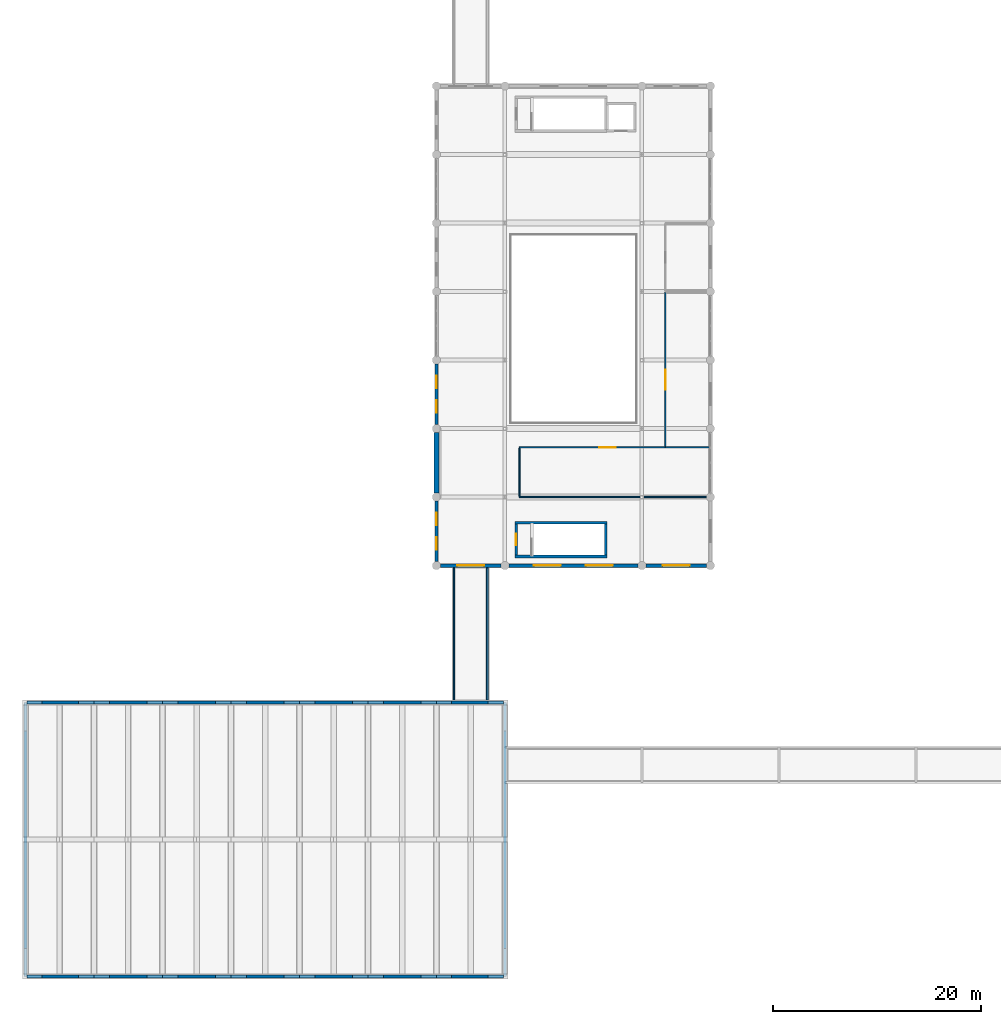
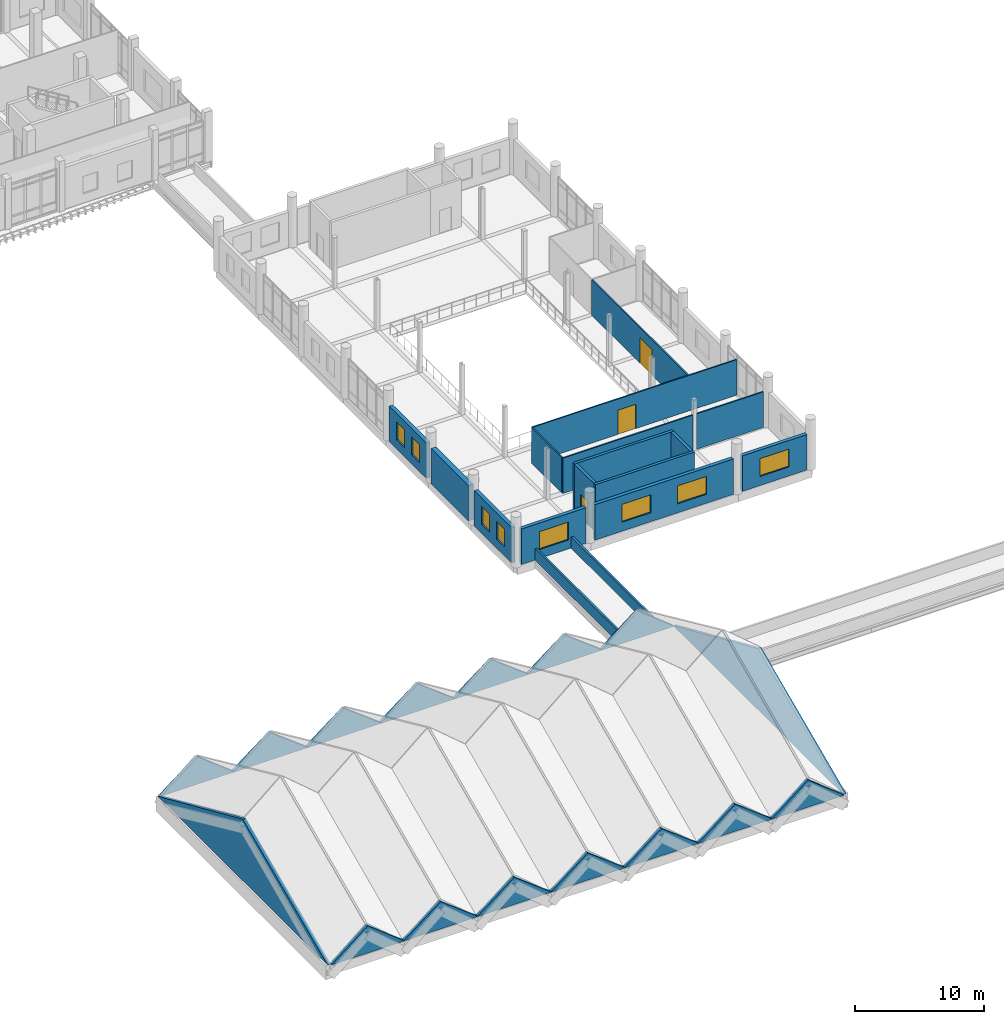
# One storey, part 47 of 76: 33 walls, 8 windows, 3 doors, 11 openings.
"""IFC4 building model written with IfcOpenShell, lengths in metres."""

from ifc_helpers import new_model, si_unit, direction, frame, frame_2d, origin, place, context, subcontext, project, spatial, polyline, rectangle, outline, extrude, material, layer, layer_set, type_object, element, fill, save


model = new_model("IFC4")

# Units and contexts
model_context = context("Model", 3, precision=1e-05, world=origin(), true_north=direction((0.0, 1.0)))
body_context = subcontext(model_context, "Body", "Model", "MODEL_VIEW")
ifc_project = project(units=[si_unit("LENGTHUNIT", "METRE"), si_unit("AREAUNIT", "SQUARE_METRE"), si_unit("VOLUMEUNIT", "CUBIC_METRE"), si_unit("PLANEANGLEUNIT", "RADIAN"), si_unit("MASSUNIT", "GRAM", prefix="KILO")], contexts=[model_context])

# Site, building, storey
site_placement = place(None, origin())
site = spatial("IfcSite", under=ifc_project, at=site_placement, CompositionType="ELEMENT")
building_placement = place(site_placement, origin())
building = spatial("IfcBuilding", under=site, at=building_placement, Name="Dornvale Research Institute", CompositionType="ELEMENT")
storey_placement = place(building_placement, frame((0.0, 0.0, 15.0)))
storey = spatial("IfcBuildingStorey", under=building, at=storey_placement, Name="L03", CompositionType="ELEMENT", Elevation=15.0)

# Walls
ifc_material_1 = material(Name="Concrete f'c 40 MPa (C32/40)", Category="concrete")
ifc_layer_1 = layer(ifc_material_1, 0.179931640625)
ifc_layer_set_1 = layer_set([ifc_layer_1], Name="Concrete f'c 40 MPa (C32/40)")
wall_type_1 = type_object("IfcWallType", Name="Parapet_Terrace_180", PredefinedType="PARAPET", material=ifc_layer_set_1)
for number, where, z_axis, x_axis, name in (
    (1, (41.2900390625, 26.6201171875, 0.0), (0.0, 0.0, 1.0), (0.0, 1.0, 0.0), "L03 BRROOF-BR-2 parapet W"),
    (2, (44.510009765625, 26.6201171875, 0.0), (0.0, 0.0, 1.0), (0.0, 1.0, 0.0), "L03 BRROOF-BR-2 parapet E"),
):
    element("IfcWall", number, at=place(storey_placement, frame(where, z_axis=z_axis, x_axis=x_axis)), inside=storey, type_object=wall_type_1, Name=name, PredefinedType="PARAPET", context=body_context, shape_type="SweptSolid", body=[
        extrude(rectangle(XDim=12.759765625, YDim=0.179931640625, at=frame_2d((6.3798828125, 0.0))), origin(), (0.0, 0.0, 1.0), 1.1201171875),
    ])
ifc_material_2 = material(Name="Acoustic Insulated Double-Stud Laboratory Partition")
ifc_layer_2 = layer(ifc_material_2, 0.1201171875)
ifc_layer_set_2 = layer_set([ifc_layer_2], Name="Acoustic Insulated Double-Stud Laboratory Partition")
wall_type_2 = type_object("IfcWallType", Name="Partition_Dry_120", PredefinedType="PARTITIONING", material=ifc_layer_set_2)
wall_1_placement = place(storey_placement, frame((47.60009765625, 46.199951171875, 0.0), z_axis=(0.0, 0.0, 1.0), x_axis=(1.0, 0.0, 0.0)))
element("IfcWall", 3, at=wall_1_placement, inside=storey, type_object=wall_type_2, Name="L03 V2 interior partition #392", PredefinedType="PARTITIONING", context=body_context, shape_type="SweptSolid", body=[
    extrude(rectangle(XDim=11.62744140625, YDim=0.1201171875, at=frame_2d((5.813720703125, 0.0))), origin(), (0.0, 0.0, 1.0), 3.360107421875),
])
wall_2_placement = place(storey_placement, frame((59.572509765625, 46.199951171875, 0.0), z_axis=(0.0, 0.0, 1.0), x_axis=(1.0, 0.0, 0.0)))
element("IfcWall", 4, at=wall_2_placement, inside=storey, type_object=wall_type_2, Name="L03 V2 interior partition #393", PredefinedType="PARTITIONING", context=body_context, shape_type="SweptSolid", body=[
    extrude(rectangle(XDim=6.007568359375, YDim=0.1201171875, at=frame_2d((3.00390625, 0.0))), origin(), (0.0, 0.0, 1.0), 3.360107421875),
])

# Wall, opening, door
wall_3_placement = place(storey_placement, frame((47.60009765625, 51.0, 0.0), z_axis=(0.0, 0.0, 1.0), x_axis=(1.0, 0.0, 0.0)))
wall_3 = element("IfcWall", 5, at=wall_3_placement, inside=storey, type_object=wall_type_2, Name="L03 V2 interior partition #394", PredefinedType="PARTITIONING", context=body_context, shape_type="SweptSolid", body=[
    extrude(rectangle(XDim=18.35986328125, YDim=0.1201171875, at=frame_2d((9.179931640625, 0.0))), origin(), (0.0, 0.0, 1.0), 3.360107421875),
])
opening_1_placement = place(wall_3_placement, frame((7.7099609375, 0.0, 0.0)))
opening_1 = element("IfcOpeningElement", 6, at=opening_1_placement, cuts=wall_3, Name="Opening ID-18", PredefinedType="OPENING", context=body_context, shape_type="SweptSolid", body=[
    extrude(rectangle(XDim=1.580078125, YDim=2.300048828125, at=frame_2d((0.7900390625, 1.14990234375))), frame((0.0, 0.074951171875, 0.0), z_axis=(0.0, -1.0, 0.0), x_axis=(1.0, 0.0, 0.0)), (0.0, 0.0, 1.0), 0.150146484375),
])
ifc_material_3 = material(Name="Phenolic-Faced Solid-Core Laboratory Door Assembly")
door_type_1 = type_object("IfcDoorType", Name="Door_Collab_1580x2300", OperationType="SINGLE_SWING_LEFT", PredefinedType="DOOR", material=ifc_material_3)
door_1_placement = place(opening_1_placement, origin())
door_1 = element("IfcDoor", 7, at=door_1_placement, inside=storey, type_object=door_type_1, Name="L03 Interdisciplinary Collaboratory L03-South door #158", OperationType="SINGLE_SWING_LEFT", OverallHeight=2.300048828125, OverallWidth=1.580078125, PredefinedType="DOOR", context=body_context, shape_type="SweptSolid", body=[
    extrude(rectangle(XDim=1.580078125, YDim=2.300048828125, at=frame_2d((0.7900390625, 1.14990234375))), frame((0.0, 0.02490234375, 0.0), z_axis=(0.0, -1.0, 0.0), x_axis=(1.0, 0.0, 0.0)), (0.0, 0.0, 1.0), 0.050048828125),
])
fill(opening_1, door_1)

# Wall
wall_4_placement = place(storey_placement, frame((47.60009765625, 46.27490234375, 0.0), z_axis=(0.0, 0.0, 1.0), x_axis=(0.0, 1.0, 0.0)))
element("IfcWall", 8, at=wall_4_placement, inside=storey, type_object=wall_type_2, Name="L03 V2 interior partition #395", PredefinedType="PARTITIONING", context=body_context, shape_type="SweptSolid", body=[
    extrude(rectangle(XDim=4.650146484375, YDim=0.1201171875, at=frame_2d((2.3251953125, 0.0))), origin(), (0.0, 0.0, 1.0), 3.360107421875),
])

# Wall, opening, door
wall_5_placement = place(storey_placement, frame((61.64990234375, 51.074951171875, 0.0), z_axis=(0.0, 0.0, 1.0), x_axis=(0.0, 1.0, 0.0)))
wall_5 = element("IfcWall", 9, at=wall_5_placement, inside=storey, type_object=wall_type_2, Name="L03 V2 interior partition #397", PredefinedType="PARTITIONING", context=body_context, shape_type="SweptSolid", body=[
    extrude(rectangle(XDim=14.85009765625, YDim=0.1201171875, at=frame_2d((7.425048828125, 0.0))), origin(), (0.0, 0.0, 1.0), 3.360107421875),
])
opening_2_placement = place(wall_5_placement, frame((5.465087890625, 0.0, 0.0)))
opening_2 = element("IfcOpeningElement", 10, at=opening_2_placement, cuts=wall_5, Name="Opening ID-16", PredefinedType="OPENING", context=body_context, shape_type="SweptSolid", body=[
    extrude(rectangle(XDim=1.919921875, YDim=2.39990234375, at=frame_2d((0.9599609375, 1.199951171875))), frame((0.0, 0.074951171875, 0.0), z_axis=(0.0, -1.0, 0.0), x_axis=(1.0, 0.0, 0.0)), (0.0, 0.0, 1.0), 0.150146484375),
])
ifc_material_4 = material(Name="Phenolic-Faced Solid-Core Laboratory Door Assembly")
door_type_2 = type_object("IfcDoorType", Name="Door_Gallery_1920x2400", OperationType="SINGLE_SWING_LEFT", PredefinedType="DOOR", material=ifc_material_4)
door_2_placement = place(opening_2_placement, origin())
door_2 = element("IfcDoor", 11, at=door_2_placement, inside=storey, type_object=door_type_2, Name="L03 Natural Collections Exhibition Gallery L03 door #159", OperationType="DOUBLE_DOOR_SINGLE_SWING", OverallHeight=2.39990234375, OverallWidth=1.919921875, PredefinedType="DOOR", context=body_context, shape_type="SweptSolid", body=[
    extrude(rectangle(XDim=1.919921875, YDim=2.39990234375, at=frame_2d((0.9599609375, 1.199951171875))), frame((0.0, 0.02490234375, 0.0), z_axis=(0.0, -1.0, 0.0), x_axis=(1.0, 0.0, 0.0)), (0.0, 0.0, 1.0), 0.050048828125),
])
fill(opening_2, door_2)

# Walls
ifc_material_5 = material(Name="Concrete f'c 45 MPa (C35/45)", Category="concrete")
ifc_layer_3 = layer(ifc_material_5, 0.25)
ifc_layer_set_3 = layer_set([ifc_layer_3], Name="Concrete f'c 45 MPa (C35/45)")
wall_type_3 = type_object("IfcWallType", Name="ShearWall_Core_250", PredefinedType="SHEAR", material=ifc_layer_set_3)
for number, where, z_axis, x_axis, name in (
    (12, (47.14990234375, 40.47509765625, 0.0), (0.0, 0.0, 1.0), (1.0, 0.0, 0.0), "L03 ST-7 shaft shear wall south"),
    (13, (47.14990234375, 43.72509765625, 0.0), (0.0, 0.0, 1.0), (1.0, 0.0, 0.0), "L03 ST-7 shaft shear wall north"),
):
    element("IfcWall", number, at=place(storey_placement, frame(where, z_axis=z_axis, x_axis=x_axis)), inside=storey, type_object=wall_type_3, Name=name, PredefinedType="SHEAR", context=body_context, shape_type="SweptSolid", body=[
        extrude(rectangle(XDim=8.900146484375, YDim=0.25, at=frame_2d((4.4501953125, 0.0))), origin(), (0.0, 0.0, 1.0), 4.5),
    ])

# Wall, opening, door
wall_6_placement = place(storey_placement, frame((47.27490234375, 40.60009765625, 0.0), z_axis=(0.0, 0.0, 1.0), x_axis=(0.0, 1.0, 0.0)))
wall_6 = element("IfcWall", 14, at=wall_6_placement, inside=storey, type_object=wall_type_3, Name="L03 ST-7 shaft shear wall west", PredefinedType="SHEAR", context=body_context, shape_type="SweptSolid", body=[
    extrude(rectangle(XDim=3.0, YDim=0.25, at=frame_2d((1.5, 0.0))), origin(), (0.0, 0.0, 1.0), 4.5),
])
opening_3_placement = place(wall_6_placement, frame((0.93994140625, 0.0, 0.0)))
opening_3 = element("IfcOpeningElement", 15, at=opening_3_placement, cuts=wall_6, Name="Opening SD-01", PredefinedType="OPENING", context=body_context, shape_type="SweptSolid", body=[
    extrude(rectangle(XDim=1.1201171875, YDim=2.199951171875, at=frame_2d((0.56005859375, 1.10009765625))), frame((0.0, 0.139892578125, 0.0), z_axis=(0.0, -1.0, 0.0), x_axis=(1.0, 0.0, 0.0)), (0.0, 0.0, 1.0), 0.280029296875),
])
ifc_material_6 = material(Name="Insulated Fire-Rated Hollow Metal Door Assembly")
door_type_3 = type_object("IfcDoorType", Name="Door_Stair_1120x2200", OperationType="SINGLE_SWING_LEFT", PredefinedType="DOOR", material=ifc_material_6)
door_3_placement = place(opening_3_placement, origin())
door_3 = element("IfcDoor", 16, at=door_3_placement, inside=storey, type_object=door_type_3, Name="L03 ST-7 exit stair door #54", OperationType="SINGLE_SWING_LEFT", OverallHeight=2.199951171875, OverallWidth=1.1201171875, PredefinedType="DOOR", context=body_context, shape_type="SweptSolid", body=[
    extrude(rectangle(XDim=1.1201171875, YDim=2.199951171875, at=frame_2d((0.56005859375, 1.10009765625))), frame((0.0, 0.02490234375, 0.0), z_axis=(0.0, -1.0, 0.0), x_axis=(1.0, 0.0, 0.0)), (0.0, 0.0, 1.0), 0.050048828125),
])
fill(opening_3, door_3)

# Walls
wall_7_placement = place(storey_placement, frame((55.925048828125, 40.60009765625, 0.0), z_axis=(0.0, 0.0, 1.0), x_axis=(0.0, 1.0, 0.0)))
element("IfcWall", 17, at=wall_7_placement, inside=storey, type_object=wall_type_3, Name="L03 ST-7 shaft shear wall east", PredefinedType="SHEAR", context=body_context, shape_type="SweptSolid", body=[
    extrude(rectangle(XDim=3.0, YDim=0.25, at=frame_2d((1.5, 0.0))), origin(), (0.0, 0.0, 1.0), 4.5),
])
ifc_material_7 = material(Name="Precast Concrete f'c 40 MPa (C32/40) and Glazed Terracotta Backup Wall", Category="masonry")
ifc_layer_4 = layer(ifc_material_7, 0.449951171875)
ifc_layer_set_4 = layer_set([ifc_layer_4], Name="Precast Concrete f'c 40 MPa (C32/40) and Glazed Terracotta Backup Wall")
wall_type_4 = type_object("IfcWallType", Name="SolidWall_ShearBraceBay_450", PredefinedType="SOLIDWALL", material=ifc_layer_set_4)
wall_8_placement = place(storey_placement, frame((39.60009765625, 46.594970703125, 0.0), z_axis=(0.0, 0.0, 1.0), x_axis=(0.0, 1.0, 0.0)))
element("IfcWall", 18, at=wall_8_placement, inside=storey, type_object=wall_type_4, Name="L03 V2 west exterior wall #96", PredefinedType="SOLIDWALL", context=body_context, shape_type="SweptSolid", body=[
    extrude(rectangle(XDim=5.81005859375, YDim=0.449951171875, at=frame_2d((2.905029296875, 0.0))), origin(), (0.0, 0.0, 1.0), 3.360107421875),
])
ifc_material_8 = material(Name="Precast Concrete f'c 40 MPa (C32/40) and Glazed Terracotta Backup Wall", Category="masonry")
ifc_layer_5 = layer(ifc_material_8, 0.280029296875)
ifc_layer_set_5 = layer_set([ifc_layer_5], Name="Precast Concrete f'c 40 MPa (C32/40) and Glazed Terracotta Backup Wall")
wall_type_5 = type_object("IfcWallType", Name="SolidWall_TerracottaBackup_280", PredefinedType="SOLIDWALL", material=ifc_layer_set_5)
for number, where, z_axis, x_axis, name in (
    (19, (0.0, 0.0, 0.0), (0.0, 0.0, 1.0), (0.0, 1.0, 0.0), "V1 Lecture Theatre west valley gable tympanum wall"),
    (20, (46.199951171875, 26.39990234375, 0.0), (0.0, 0.0, 1.0), (0.0, -1.0, 0.0), "V1 Lecture Theatre east valley gable tympanum wall"),
):
    element("IfcWall", number, at=place(storey_placement, frame(where, z_axis=z_axis, x_axis=x_axis)), inside=storey, type_object=wall_type_5, Name=name, PredefinedType="SOLIDWALL", context=body_context, shape_type="SweptSolid", body=[
        extrude(outline(polyline([(0.0, 0.0), (26.39990234375, 0.0), (26.39990234375, 0.0), (13.199951171875, 5.820068359375), (0.0, 0.0), (0.0, 0.0)])), frame((0.0, 0.14013671875, 0.0), z_axis=(0.0, -1.0, 0.0), x_axis=(1.0, 0.0, 0.0)), (0.0, 0.0, 1.0), 0.280029296875),
    ])
for number, where, z_axis, x_axis, name in (
    (21, (6.60009765625, 0.0, 0.0), (0.0, 0.0, 1.0), (-1.0, 0.0, 0.0), "V1 south accordion pleat gable wall #1"),
    (22, (0.139892578125, 26.39990234375, 0.0), (0.0, 0.0, 1.0), (1.0, 0.0, 0.0), "V1 north accordion pleat gable wall #1"),
):
    element("IfcWall", number, at=place(storey_placement, frame(where, z_axis=z_axis, x_axis=x_axis)), inside=storey, type_object=wall_type_5, Name=name, PredefinedType="SOLIDWALL", context=body_context, shape_type="SweptSolid", body=[
        extrude(outline(polyline([(0.0, 0.0), (6.460205078125, 0.0), (6.4599609375, 0.050048828125), (3.22998046875, 2.580078125), (0.0, 0.050048828125), (0.0, 0.0)])), frame((0.0, 0.14013671875, 0.0), z_axis=(0.0, -1.0, 0.0), x_axis=(1.0, 0.0, 0.0)), (0.0, 0.0, 1.0), 0.280029296875),
    ])
for number, where, z_axis, x_axis, name in (
    (23, (13.199951171875, 0.0, 0.0), (0.0, 0.0, 1.0), (-1.0, 0.0, 0.0), "V1 south accordion pleat gable wall #2"),
    (24, (6.60009765625, 26.39990234375, 0.0), (0.0, 0.0, 1.0), (1.0, 0.0, 0.0), "V1 north accordion pleat gable wall #2"),
):
    element("IfcWall", number, at=place(storey_placement, frame(where, z_axis=z_axis, x_axis=x_axis)), inside=storey, type_object=wall_type_5, Name=name, PredefinedType="SOLIDWALL", context=body_context, shape_type="SweptSolid", body=[
        extrude(outline(polyline([(0.0, 0.0), (6.599853515625, 0.0), (6.60009765625, 0.050048828125), (3.300048828125, 2.580078125), (0.0, 0.050048828125), (0.0, 0.0)])), frame((0.0, 0.14013671875, 0.0), z_axis=(0.0, -1.0, 0.0), x_axis=(1.0, 0.0, 0.0)), (0.0, 0.0, 1.0), 0.280029296875),
    ])
for number, where, z_axis, x_axis, name in (
    (25, (19.800048828125, 0.0, 0.0), (0.0, 0.0, 1.0), (-1.0, 0.0, 0.0), "V1 south accordion pleat gable wall #3"),
    (26, (13.199951171875, 26.39990234375, 0.0), (0.0, 0.0, 1.0), (1.0, 0.0, 0.0), "V1 north accordion pleat gable wall #3"),
):
    element("IfcWall", number, at=place(storey_placement, frame(where, z_axis=z_axis, x_axis=x_axis)), inside=storey, type_object=wall_type_5, Name=name, PredefinedType="SOLIDWALL", context=body_context, shape_type="SweptSolid", body=[
        extrude(outline(polyline([(0.0, 0.0), (6.60009765625, 0.0), (6.60009765625, 0.050048828125), (3.300048828125, 2.580078125), (0.0, 0.050048828125), (0.0, 0.0)])), frame((0.0, 0.14013671875, 0.0), z_axis=(0.0, -1.0, 0.0), x_axis=(1.0, 0.0, 0.0)), (0.0, 0.0, 1.0), 0.280029296875),
    ])
for number, where, z_axis, x_axis, name in (
    (27, (26.39990234375, 0.0, 0.0), (0.0, 0.0, 1.0), (-1.0, 0.0, 0.0), "V1 south accordion pleat gable wall #4"),
    (28, (19.800048828125, 26.39990234375, 0.0), (0.0, 0.0, 1.0), (1.0, 0.0, 0.0), "V1 north accordion pleat gable wall #4"),
):
    element("IfcWall", number, at=place(storey_placement, frame(where, z_axis=z_axis, x_axis=x_axis)), inside=storey, type_object=wall_type_5, Name=name, PredefinedType="SOLIDWALL", context=body_context, shape_type="SweptSolid", body=[
        extrude(outline(polyline([(0.0, 0.0), (6.599853515625, 0.0), (6.60009765625, 0.050048828125), (3.300048828125, 2.580078125), (0.0, 0.050048828125), (0.0, 0.0)])), frame((0.0, 0.14013671875, 0.0), z_axis=(0.0, -1.0, 0.0), x_axis=(1.0, 0.0, 0.0)), (0.0, 0.0, 1.0), 0.280029296875),
    ])
for number, where, z_axis, x_axis, name in (
    (29, (33.0, 0.0, 0.0), (0.0, 0.0, 1.0), (-1.0, 0.0, 0.0), "V1 south accordion pleat gable wall #5"),
    (30, (26.39990234375, 26.39990234375, 0.0), (0.0, 0.0, 1.0), (1.0, 0.0, 0.0), "V1 north accordion pleat gable wall #5"),
    (31, (39.60009765625, 0.0, 0.0), (0.0, 0.0, 1.0), (-1.0, 0.0, 0.0), "V1 south accordion pleat gable wall #6"),
    (32, (33.0, 26.39990234375, 0.0), (0.0, 0.0, 1.0), (1.0, 0.0, 0.0), "V1 north accordion pleat gable wall #6"),
):
    element("IfcWall", number, at=place(storey_placement, frame(where, z_axis=z_axis, x_axis=x_axis)), inside=storey, type_object=wall_type_5, Name=name, PredefinedType="SOLIDWALL", context=body_context, shape_type="SweptSolid", body=[
        extrude(outline(polyline([(0.0, 0.0), (6.60009765625, 0.0), (6.60009765625, 0.050048828125), (3.300048828125, 2.580078125), (0.0, 0.050048828125), (0.0, 0.0)])), frame((0.0, 0.14013671875, 0.0), z_axis=(0.0, -1.0, 0.0), x_axis=(1.0, 0.0, 0.0)), (0.0, 0.0, 1.0), 0.280029296875),
    ])
for number, where, z_axis, x_axis, name in (
    (33, (46.06005859375, 0.0, 0.0), (0.0, 0.0, 1.0), (-1.0, 0.0, 0.0), "V1 south accordion pleat gable wall #7"),
    (34, (39.60009765625, 26.39990234375, 0.0), (0.0, 0.0, 1.0), (1.0, 0.0, 0.0), "V1 north accordion pleat gable wall #7"),
):
    element("IfcWall", number, at=place(storey_placement, frame(where, z_axis=z_axis, x_axis=x_axis)), inside=storey, type_object=wall_type_5, Name=name, PredefinedType="SOLIDWALL", context=body_context, shape_type="SweptSolid", body=[
        extrude(outline(polyline([(0.0, 0.0), (6.4599609375, 0.0), (6.4599609375, 0.050048828125), (3.22998046875, 2.580078125), (0.0, 0.050048828125), (0.0, 0.0)])), frame((0.0, 0.14013671875, 0.0), z_axis=(0.0, -1.0, 0.0), x_axis=(1.0, 0.0, 0.0)), (0.0, 0.0, 1.0), 0.280029296875),
    ])

# Wall, openings, windows
ifc_material_9 = material(Name="Catalan Pressed Brick and Insulated Cavity Assembly", Category="masonry")
ifc_layer_6 = layer(ifc_material_9, 0.320068359375)
ifc_layer_set_6 = layer_set([ifc_layer_6], Name="Catalan Pressed Brick and Insulated Cavity Assembly")
wall_type_6 = type_object("IfcWallType", Name="StandardWall_BrickCavity_320", PredefinedType="STANDARD", material=ifc_layer_set_6)
wall_9_placement = place(storey_placement, frame((39.60009765625, 39.9951171875, 0.0), z_axis=(0.0, 0.0, 1.0), x_axis=(0.0, 1.0, 0.0)))
wall_9 = element("IfcWall", 35, at=wall_9_placement, inside=storey, type_object=wall_type_6, Name="L03 V2 west exterior wall #95", PredefinedType="STANDARD", context=body_context, shape_type="SweptSolid", body=[
    extrude(rectangle(XDim=5.809814453125, YDim=0.320068359375, at=frame_2d((2.90478515625, 0.0))), origin(), (0.0, 0.0, 1.0), 3.360107421875),
])
opening_4_placement = place(wall_9_placement, frame((1.13671875, 0.0, 0.85009765625)))
opening_4 = element("IfcOpeningElement", 36, at=opening_4_placement, cuts=wall_9, Name="Opening W-13", PredefinedType="OPENING", context=body_context, shape_type="SweptSolid", body=[
    extrude(rectangle(XDim=1.199951171875, YDim=1.699951171875, at=frame_2d((0.60009765625, 0.85009765625))), frame((0.0, 0.175048828125, 0.0), z_axis=(0.0, -1.0, 0.0), x_axis=(1.0, 0.0, 0.0)), (0.0, 0.0, 1.0), 0.35009765625),
])
opening_5_placement = place(wall_9_placement, frame((3.473388671875, 0.0, 0.85009765625)))
opening_5 = element("IfcOpeningElement", 37, at=opening_5_placement, cuts=wall_9, Name="Opening W-13", PredefinedType="OPENING", context=body_context, shape_type="SweptSolid", body=[
    extrude(rectangle(XDim=1.199951171875, YDim=1.699951171875, at=frame_2d((0.60009765625, 0.85009765625))), frame((0.0, 0.175048828125, 0.0), z_axis=(0.0, -1.0, 0.0), x_axis=(1.0, 0.0, 0.0)), (0.0, 0.0, 1.0), 0.35009765625),
])
ifc_material_10 = material(Name="Low-E Argon Double Insulating Glazing Unit", Category="glass")
window_type_1 = type_object("IfcWindowType", Name="Window_Alu_1200x1700_13", PartitioningType="SINGLE_PANEL", PredefinedType="WINDOW", material=ifc_material_10)
window_1_placement = place(opening_4_placement, origin())
window_1 = element("IfcWindow", 38, at=window_1_placement, inside=storey, type_object=window_type_1, Name="L03 V2 facade window W-13 #118", OverallHeight=1.699951171875, OverallWidth=1.199951171875, PartitioningType="SINGLE_PANEL", PredefinedType="WINDOW", context=body_context, shape_type="SweptSolid", body=[
    extrude(rectangle(XDim=1.199951171875, YDim=1.699951171875, at=frame_2d((0.60009765625, 0.85009765625))), frame((0.0, 0.030029296875, 0.0), z_axis=(0.0, -1.0, 0.0), x_axis=(1.0, 0.0, 0.0)), (0.0, 0.0, 1.0), 0.06005859375),
])
fill(opening_4, window_1)
window_2_placement = place(opening_5_placement, origin())
window_2 = element("IfcWindow", 39, at=window_2_placement, inside=storey, type_object=window_type_1, Name="L03 V2 facade window W-13 #119", OverallHeight=1.699951171875, OverallWidth=1.199951171875, PartitioningType="SINGLE_PANEL", PredefinedType="WINDOW", context=body_context, shape_type="SweptSolid", body=[
    extrude(rectangle(XDim=1.199951171875, YDim=1.699951171875, at=frame_2d((0.60009765625, 0.85009765625))), frame((0.0, 0.030029296875, 0.0), z_axis=(0.0, -1.0, 0.0), x_axis=(1.0, 0.0, 0.0)), (0.0, 0.0, 1.0), 0.06005859375),
])
fill(opening_5, window_2)

wall_10_placement = place(storey_placement, frame((39.60009765625, 53.195068359375, 0.0), z_axis=(0.0, 0.0, 1.0), x_axis=(0.0, 1.0, 0.0)))
wall_10 = element("IfcWall", 40, at=wall_10_placement, inside=storey, type_object=wall_type_6, Name="L03 V2 west exterior wall #97", PredefinedType="STANDARD", context=body_context, shape_type="SweptSolid", body=[
    extrude(rectangle(XDim=5.809814453125, YDim=0.320068359375, at=frame_2d((2.90478515625, 0.0))), origin(), (0.0, 0.0, 1.0), 3.360107421875),
])
opening_6_placement = place(wall_10_placement, frame((1.13671875, 0.0, 0.85009765625)))
opening_6 = element("IfcOpeningElement", 41, at=opening_6_placement, cuts=wall_10, Name="Opening W-13", PredefinedType="OPENING", context=body_context, shape_type="SweptSolid", body=[
    extrude(rectangle(XDim=1.199951171875, YDim=1.699951171875, at=frame_2d((0.60009765625, 0.85009765625))), frame((0.0, 0.175048828125, 0.0), z_axis=(0.0, -1.0, 0.0), x_axis=(1.0, 0.0, 0.0)), (0.0, 0.0, 1.0), 0.35009765625),
])
opening_7_placement = place(wall_10_placement, frame((3.473388671875, 0.0, 0.85009765625)))
opening_7 = element("IfcOpeningElement", 42, at=opening_7_placement, cuts=wall_10, Name="Opening W-13", PredefinedType="OPENING", context=body_context, shape_type="SweptSolid", body=[
    extrude(rectangle(XDim=1.199951171875, YDim=1.699951171875, at=frame_2d((0.60009765625, 0.85009765625))), frame((0.0, 0.175048828125, 0.0), z_axis=(0.0, -1.0, 0.0), x_axis=(1.0, 0.0, 0.0)), (0.0, 0.0, 1.0), 0.35009765625),
])
window_3_placement = place(opening_6_placement, origin())
window_3 = element("IfcWindow", 43, at=window_3_placement, inside=storey, type_object=window_type_1, Name="L03 V2 facade window W-13 #120", OverallHeight=1.699951171875, OverallWidth=1.199951171875, PartitioningType="SINGLE_PANEL", PredefinedType="WINDOW", context=body_context, shape_type="SweptSolid", body=[
    extrude(rectangle(XDim=1.199951171875, YDim=1.699951171875, at=frame_2d((0.60009765625, 0.85009765625))), frame((0.0, 0.030029296875, 0.0), z_axis=(0.0, -1.0, 0.0), x_axis=(1.0, 0.0, 0.0)), (0.0, 0.0, 1.0), 0.06005859375),
])
fill(opening_6, window_3)
window_4_placement = place(opening_7_placement, origin())
window_4 = element("IfcWindow", 44, at=window_4_placement, inside=storey, type_object=window_type_1, Name="L03 V2 facade window W-13 #121", OverallHeight=1.699951171875, OverallWidth=1.199951171875, PartitioningType="SINGLE_PANEL", PredefinedType="WINDOW", context=body_context, shape_type="SweptSolid", body=[
    extrude(rectangle(XDim=1.199951171875, YDim=1.699951171875, at=frame_2d((0.60009765625, 0.85009765625))), frame((0.0, 0.030029296875, 0.0), z_axis=(0.0, -1.0, 0.0), x_axis=(1.0, 0.0, 0.0)), (0.0, 0.0, 1.0), 0.06005859375),
])
fill(opening_7, window_4)

# Wall, opening, window
wall_11_placement = place(storey_placement, frame((65.60498046875, 39.60009765625, 0.0), z_axis=(0.0, 0.0, 1.0), x_axis=(-1.0, 0.0, 0.0)))
wall_11 = element("IfcWall", 45, at=wall_11_placement, inside=storey, type_object=wall_type_6, Name="L03 V2 south exterior wall #107", PredefinedType="STANDARD", context=body_context, shape_type="SweptSolid", body=[
    extrude(rectangle(XDim=5.81005859375, YDim=0.320068359375, at=frame_2d((2.905029296875, 0.0))), origin(), (0.0, 0.0, 1.0), 3.360107421875),
])
opening_8_placement = place(wall_11_placement, frame((1.60498046875, 0.0, 0.85009765625)))
opening_8 = element("IfcOpeningElement", 46, at=opening_8_placement, cuts=wall_11, Name="Opening W-22", PredefinedType="OPENING", context=body_context, shape_type="SweptSolid", body=[
    extrude(rectangle(XDim=2.60009765625, YDim=1.699951171875, at=frame_2d((1.300048828125, 0.85009765625))), frame((0.0, 0.175048828125, 0.0), z_axis=(0.0, -1.0, 0.0), x_axis=(1.0, 0.0, 0.0)), (0.0, 0.0, 1.0), 0.35009765625),
])
ifc_material_11 = material(Name="Low-E Argon Double Insulating Glazing Unit", Category="glass")
window_type_2 = type_object("IfcWindowType", Name="Window_Alu_2600x1700_22", PartitioningType="DOUBLE_PANEL_VERTICAL", PredefinedType="WINDOW", material=ifc_material_11)
window_5_placement = place(opening_8_placement, origin())
window_5 = element("IfcWindow", 47, at=window_5_placement, inside=storey, type_object=window_type_2, Name="L03 V2 facade window W-22 #136", OverallHeight=1.699951171875, OverallWidth=2.60009765625, PartitioningType="DOUBLE_PANEL_VERTICAL", PredefinedType="WINDOW", context=body_context, shape_type="SweptSolid", body=[
    extrude(rectangle(XDim=2.60009765625, YDim=1.699951171875, at=frame_2d((1.300048828125, 0.85009765625))), frame((0.0, 0.030029296875, 0.0), z_axis=(0.0, -1.0, 0.0), x_axis=(1.0, 0.0, 0.0)), (0.0, 0.0, 1.0), 0.06005859375),
])
fill(opening_8, window_5)

# Wall, openings, windows
wall_12_placement = place(storey_placement, frame((59.0048828125, 39.60009765625, 0.0), z_axis=(0.0, 0.0, 1.0), x_axis=(-1.0, 0.0, 0.0)))
wall_12 = element("IfcWall", 48, at=wall_12_placement, inside=storey, type_object=wall_type_6, Name="L03 V2 south exterior wall #108", PredefinedType="STANDARD", context=body_context, shape_type="SweptSolid", body=[
    extrude(rectangle(XDim=12.409912109375, YDim=0.320068359375, at=frame_2d((6.205078125, 0.0))), origin(), (0.0, 0.0, 1.0), 3.360107421875),
])
opening_9_placement = place(wall_12_placement, frame((2.4033203125, 0.0, 0.85009765625)))
opening_9 = element("IfcOpeningElement", 49, at=opening_9_placement, cuts=wall_12, Name="Opening W-22", PredefinedType="OPENING", context=body_context, shape_type="SweptSolid", body=[
    extrude(rectangle(XDim=2.60009765625, YDim=1.699951171875, at=frame_2d((1.300048828125, 0.85009765625))), frame((0.0, 0.175048828125, 0.0), z_axis=(0.0, -1.0, 0.0), x_axis=(1.0, 0.0, 0.0)), (0.0, 0.0, 1.0), 0.35009765625),
])
opening_10_placement = place(wall_12_placement, frame((7.406494140625, 0.0, 0.85009765625)))
opening_10 = element("IfcOpeningElement", 50, at=opening_10_placement, cuts=wall_12, Name="Opening W-22", PredefinedType="OPENING", context=body_context, shape_type="SweptSolid", body=[
    extrude(rectangle(XDim=2.60009765625, YDim=1.699951171875, at=frame_2d((1.300048828125, 0.85009765625))), frame((0.0, 0.175048828125, 0.0), z_axis=(0.0, -1.0, 0.0), x_axis=(1.0, 0.0, 0.0)), (0.0, 0.0, 1.0), 0.35009765625),
])
window_6_placement = place(opening_9_placement, origin())
window_6 = element("IfcWindow", 51, at=window_6_placement, inside=storey, type_object=window_type_2, Name="L03 V2 facade window W-22 #137", OverallHeight=1.699951171875, OverallWidth=2.60009765625, PartitioningType="DOUBLE_PANEL_VERTICAL", PredefinedType="WINDOW", context=body_context, shape_type="SweptSolid", body=[
    extrude(rectangle(XDim=2.60009765625, YDim=1.699951171875, at=frame_2d((1.300048828125, 0.85009765625))), frame((0.0, 0.030029296875, 0.0), z_axis=(0.0, -1.0, 0.0), x_axis=(1.0, 0.0, 0.0)), (0.0, 0.0, 1.0), 0.06005859375),
])
fill(opening_9, window_6)
window_7_placement = place(opening_10_placement, origin())
window_7 = element("IfcWindow", 52, at=window_7_placement, inside=storey, type_object=window_type_2, Name="L03 V2 facade window W-22 #138", OverallHeight=1.699951171875, OverallWidth=2.60009765625, PartitioningType="DOUBLE_PANEL_VERTICAL", PredefinedType="WINDOW", context=body_context, shape_type="SweptSolid", body=[
    extrude(rectangle(XDim=2.60009765625, YDim=1.699951171875, at=frame_2d((1.300048828125, 0.85009765625))), frame((0.0, 0.030029296875, 0.0), z_axis=(0.0, -1.0, 0.0), x_axis=(1.0, 0.0, 0.0)), (0.0, 0.0, 1.0), 0.06005859375),
])
fill(opening_10, window_7)

# Wall, opening, window
wall_13_placement = place(storey_placement, frame((45.804931640625, 39.60009765625, 0.0), z_axis=(0.0, 0.0, 1.0), x_axis=(-1.0, 0.0, 0.0)))
wall_13 = element("IfcWall", 53, at=wall_13_placement, inside=storey, type_object=wall_type_6, Name="L03 V2 south exterior wall #109", PredefinedType="STANDARD", context=body_context, shape_type="SweptSolid", body=[
    extrude(rectangle(XDim=5.809814453125, YDim=0.320068359375, at=frame_2d((2.90478515625, 0.0))), origin(), (0.0, 0.0, 1.0), 3.360107421875),
])
opening_11_placement = place(wall_13_placement, frame((1.60498046875, 0.0, 0.85009765625)))
opening_11 = element("IfcOpeningElement", 54, at=opening_11_placement, cuts=wall_13, Name="Opening W-22", PredefinedType="OPENING", context=body_context, shape_type="SweptSolid", body=[
    extrude(rectangle(XDim=2.60009765625, YDim=1.699951171875, at=frame_2d((1.300048828125, 0.85009765625))), frame((0.0, 0.175048828125, 0.0), z_axis=(0.0, -1.0, 0.0), x_axis=(1.0, 0.0, 0.0)), (0.0, 0.0, 1.0), 0.35009765625),
])
window_8_placement = place(opening_11_placement, origin())
window_8 = element("IfcWindow", 55, at=window_8_placement, inside=storey, type_object=window_type_2, Name="L03 V2 facade window W-22 #139", OverallHeight=1.699951171875, OverallWidth=2.60009765625, PartitioningType="DOUBLE_PANEL_VERTICAL", PredefinedType="WINDOW", context=body_context, shape_type="SweptSolid", body=[
    extrude(rectangle(XDim=2.60009765625, YDim=1.699951171875, at=frame_2d((1.300048828125, 0.85009765625))), frame((0.0, 0.030029296875, 0.0), z_axis=(0.0, -1.0, 0.0), x_axis=(1.0, 0.0, 0.0)), (0.0, 0.0, 1.0), 0.06005859375),
])
fill(opening_11, window_8)

save(model, "model.ifc")
